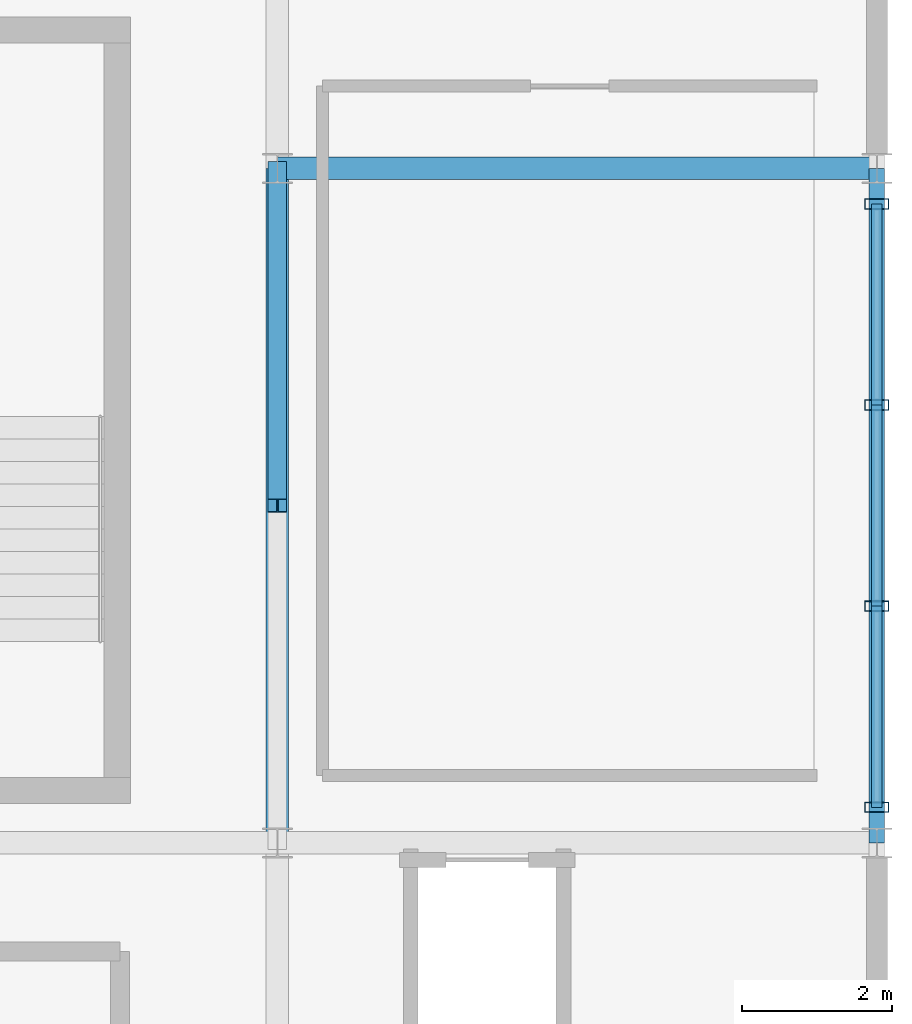
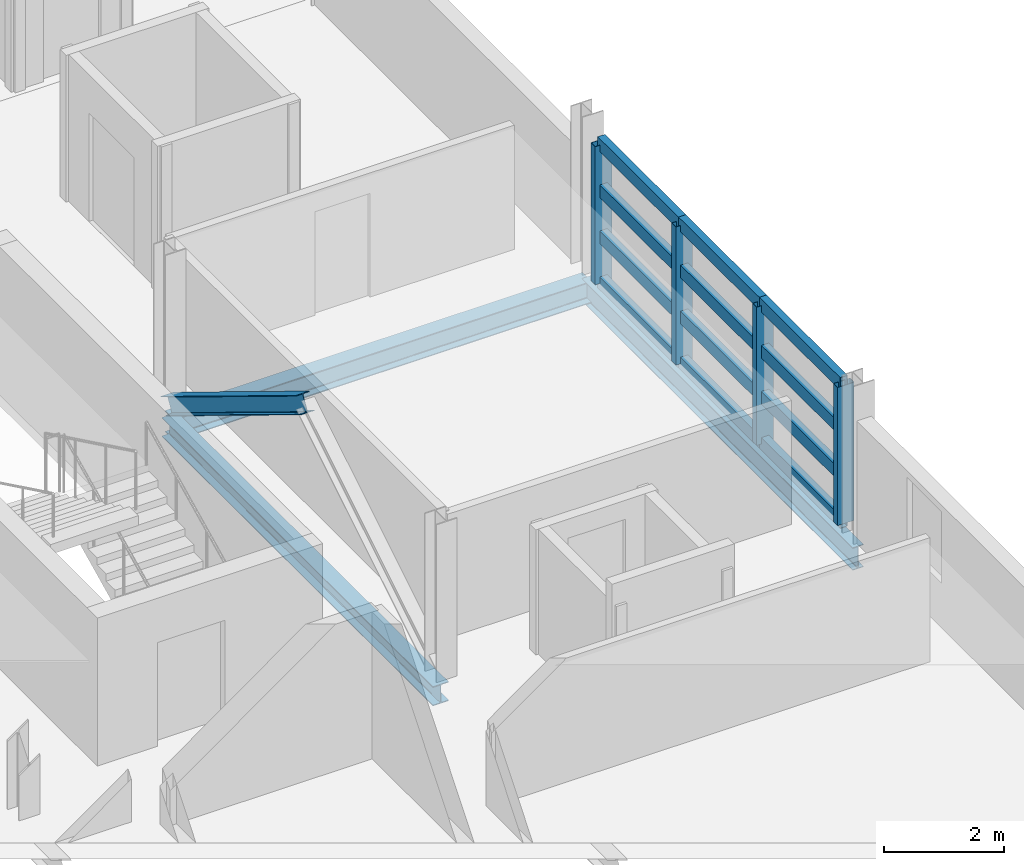
# One storey, part 45 of 86: 17 members, 3 beams, 1 element without a shape of its own.
"""IFC4 building model written with IfcOpenShell, lengths in metres."""

import ifcopenshell
import ifcopenshell.guid

model = None  # the IFC model being written
_history = None  # IfcOwnerHistory: only IFC2X3 demands one
_inside = {}  # id of a spatial element -> (the spatial element, [elements in it])
_under = {}  # id of a project, library or spatial element -> (it, [spatial elements below it])
_declared = {}  # id of a project -> (the project, [libraries it declares])
_typed = {}  # id of a type object -> (the type object, [elements of that type])
_made_of = {}  # id of a material, layer set ... -> (it, [elements and type objects made of it])


def new_model(schema):
    """Start an empty IFC model of exactly this schema.

    Asked for "IFC4X3", IfcOpenShell would pick the latest addendum, in which some entities
    have other attributes; the version numbers below select the first issue.
    IFC2X3 requires an IfcOwnerHistory on every rooted entity: one is made here for all.
    """
    global model, _history
    if schema == "IFC4X3":
        model = ifcopenshell.file(schema_version=(4, 3, 0, 0))
    else:
        model = ifcopenshell.file(schema=schema)
    _inside.clear()
    _under.clear()
    _declared.clear()
    _typed.clear()
    _made_of.clear()
    _history = None
    if model.schema == "IFC2X3":
        org = make("IfcOrganization", Name="unknown")
        user = make(
            "IfcPersonAndOrganization",
            ThePerson=make("IfcPerson", FamilyName="unknown"),
            TheOrganization=org,
        )
        app = make(
            "IfcApplication",
            ApplicationDeveloper=org,
            Version="unknown",
            ApplicationFullName="unknown",
            ApplicationIdentifier="unknown",
        )
        _history = make(
            "IfcOwnerHistory",
            OwningUser=user,
            OwningApplication=app,
            ChangeAction="ADDED",
            CreationDate=0,
        )
    return model


def make(cls, **values):
    """One entity of the class cls with the attributes given. An attribute that is None is left unset."""
    return model.create_entity(
        cls, **{name: value for name, value in values.items() if value is not None}
    )


def rooted(cls, **values):
    """An entity with a GlobalId (a new one), such as an element, a storey or a relation."""
    return make(cls, GlobalId=ifcopenshell.guid.new(), OwnerHistory=_history, **values)


def si_unit(unit_type, name, prefix=None):
    """IfcSIUnit, for example si_unit("LENGTHUNIT", "METRE", prefix="MILLI")."""
    return make("IfcSIUnit", UnitType=unit_type, Prefix=prefix, Name=name)


def assignment(units):
    """IfcUnitAssignment: the units of a project."""
    return None if units is None else make("IfcUnitAssignment", Units=units)


def point(xyz):
    """IfcCartesianPoint."""
    return None if xyz is None else make("IfcCartesianPoint", Coordinates=xyz)


def direction(xyz):
    """IfcDirection."""
    return None if xyz is None else make("IfcDirection", DirectionRatios=xyz)


def frame(location, z_axis=None, x_axis=None):
    """IfcAxis2Placement3D, a coordinate frame: its origin and axes. An axis left out is left unset."""
    return make(
        "IfcAxis2Placement3D",
        Location=point(location),
        Axis=direction(z_axis),
        RefDirection=direction(x_axis),
    )


def frame_2d(location, x_axis=None):
    """IfcAxis2Placement2D, a coordinate frame in the plane: its origin and x axis."""
    return make(
        "IfcAxis2Placement2D", Location=point(location), RefDirection=direction(x_axis)
    )


def origin():
    """The frame at (0, 0, 0) with its axes left unset."""
    return frame((0.0, 0.0, 0.0))


def origin_2d():
    """The frame at (0, 0) in the plane with its x axis left unset."""
    return frame_2d((0.0, 0.0))


def place(relative_to, where):
    """IfcLocalPlacement: puts the frame where relative to a parent placement (None: the world)."""
    return make(
        "IfcLocalPlacement", PlacementRelTo=relative_to, RelativePlacement=where
    )


def context(
    kind, dimensions, precision=None, world=None, true_north=None, identifier=None
):
    """IfcGeometricRepresentationContext, for example the 3D "Model" context."""
    return make(
        "IfcGeometricRepresentationContext",
        ContextIdentifier=identifier,
        ContextType=kind,
        CoordinateSpaceDimension=dimensions,
        Precision=precision,
        WorldCoordinateSystem=world,
        TrueNorth=true_north,
    )


def subcontext(parent, identifier, kind, view, scale=None):
    """IfcGeometricRepresentationSubContext, for example "Body" below "Model"."""
    return make(
        "IfcGeometricRepresentationSubContext",
        ContextIdentifier=identifier,
        ContextType=kind,
        ParentContext=parent,
        TargetScale=scale,
        TargetView=view,
    )


def project(units=None, contexts=None):
    """IfcProject with its units and contexts."""
    return rooted(
        "IfcProject",
        Name="project",
        RepresentationContexts=contexts,
        UnitsInContext=assignment(units),
    )


def spatial(cls, under=None, at=None, **own):
    """A site, building, storey or space (cls), placed at a placement, below another one or the project."""
    s = rooted(cls, ObjectPlacement=at, **own)
    if under is not None:
        _under.setdefault(under.id(), (under, []))[1].append(s)
    return s


def profile(cls, at=None, kind="AREA", **sizes):
    """A parametric profile (cls). Its sizes go by their IFC names, for example OverallWidth=200.0."""
    return make(cls, ProfileType=kind, Position=at, **sizes)


def hollow_rectangle(**sizes):
    """IfcRectangleHollowProfileDef."""
    return profile("IfcRectangleHollowProfileDef", **sizes)


def i_section(**sizes):
    """IfcIShapeProfileDef."""
    return profile("IfcIShapeProfileDef", **sizes)


def extrude(swept, where, along, depth):
    """IfcExtrudedAreaSolid: the profile swept, set in the frame where, extruded along a direction by depth."""
    return make(
        "IfcExtrudedAreaSolid",
        SweptArea=swept,
        Position=where,
        ExtrudedDirection=direction(along),
        Depth=depth,
    )


def shape(context_of_items, identifier, shape_type, items):
    """IfcShapeRepresentation: the items that make up one representation, for example the "Body"."""
    return make(
        "IfcShapeRepresentation",
        ContextOfItems=context_of_items,
        RepresentationIdentifier=identifier,
        RepresentationType=shape_type,
        Items=items,
    )


def material(Name=None, Category=None):
    """IfcMaterial."""
    return make("IfcMaterial", Name=Name, Category=Category)


def material_profile(
    of_material, cross_section, Name=None, Category=None, Priority=None
):
    """IfcMaterialProfile: a cross section and its material."""
    return make(
        "IfcMaterialProfile",
        Name=Name,
        Material=of_material,
        Profile=cross_section,
        Priority=Priority,
        Category=Category,
    )


def profile_set(profiles, Name=None, composite=None):
    """IfcMaterialProfileSet."""
    return make(
        "IfcMaterialProfileSet",
        Name=Name,
        MaterialProfiles=profiles,
        CompositeProfile=composite,
    )


def made_of(thing, what):
    """Note that an element or type object is made of a material, layer set ...; save() writes the relation."""
    if what is not None:
        _made_of.setdefault(what.id(), (what, []))[1].append(thing)
    return thing


def type_object(cls, material=None, **own):
    """A type object (cls), such as IfcWallType, which elements share."""
    return made_of(rooted(cls, **own), material)


def element(
    cls,
    number,
    at=None,
    inside=None,
    cuts=None,
    type_object=None,
    material=None,
    context=None,
    identifier="Body",
    shape_type=None,
    held_by="IfcProductDefinitionShape",
    body=None,
    shapes=None,
    **own,
):
    """One element of the class cls, such as IfcWall. Its Tag is "e" and its number.

    at: its placement. inside: the storey or other place that contains it. cuts: it is an
    opening in that element (IfcRelVoidsElement). A single representation is given by context,
    identifier, shape_type and body (its items); several are given by shapes. held_by: the class
    of the entity that holds the representations. save() writes the other relations.
    """
    e = rooted(cls, Tag="e%d" % number, ObjectPlacement=at, **own)
    if body is not None:
        shapes = [shape(context, identifier, shape_type, body)]
    if shapes is not None:
        e.Representation = make(held_by, Representations=shapes)
    if inside is not None:
        _inside.setdefault(inside.id(), (inside, []))[1].append(e)
    if cuts is not None:
        rooted(
            "IfcRelVoidsElement", RelatingBuildingElement=cuts, RelatedOpeningElement=e
        )
    if type_object is not None:
        _typed.setdefault(type_object.id(), (type_object, []))[1].append(e)
    return made_of(e, material)


def aggregate(whole, parts):
    """IfcRelAggregates: a whole, such as a stair, and the parts it consists of."""
    return rooted("IfcRelAggregates", RelatingObject=whole, RelatedObjects=parts)


def save(model, path):
    """Write the relations noted so far, then the file.

    IfcRelAggregates (storeys below a building ...), IfcRelContainedInSpatialStructure (elements
    in a storey), IfcRelDefinesByType, IfcRelAssociatesMaterial and IfcRelDeclares: one each for
    every whole, place, type object, material and project.
    """
    for whole, parts in _under.values():
        aggregate(whole, parts)
    for where, things in _inside.values():
        rooted(
            "IfcRelContainedInSpatialStructure",
            RelatedElements=things,
            RelatingStructure=where,
        )
    for kind, things in _typed.values():
        rooted("IfcRelDefinesByType", RelatedObjects=things, RelatingType=kind)
    for what, things in _made_of.values():
        rooted("IfcRelAssociatesMaterial", RelatedObjects=things, RelatingMaterial=what)
    for by, libraries in _declared.values():
        rooted("IfcRelDeclares", RelatingContext=by, RelatedDefinitions=libraries)
    model.write(path)


model = new_model("IFC4")

# Units and contexts
model_context = context("Model", 3, precision=1e-05, world=origin(), true_north=direction((0.0, 1.0)))
body_context = subcontext(model_context, "Body", "Model", "MODEL_VIEW")
ifc_project = project(units=[si_unit("LENGTHUNIT", "METRE"), si_unit("AREAUNIT", "SQUARE_METRE"), si_unit("VOLUMEUNIT", "CUBIC_METRE"), si_unit("PLANEANGLEUNIT", "RADIAN"), si_unit("MASSUNIT", "GRAM", prefix="KILO")], contexts=[model_context])

# Site, building, storey
site_placement = place(None, origin())
site = spatial("IfcSite", under=ifc_project, at=site_placement, CompositionType="ELEMENT")
building_placement = place(site_placement, origin())
building = spatial("IfcBuilding", under=site, at=building_placement, Name="Chuanluo Vaults Station", CompositionType="ELEMENT")
storey_placement = place(building_placement, frame((0.0, 0.0, 14.39990234375)))
storey = spatial("IfcBuildingStorey", under=building, at=storey_placement, Name="L03", CompositionType="ELEMENT", Elevation=14.39990234375)

# Beams
ifc_material_1 = material(Name="Steel Q355C", Category="steel")
ifc_material_profile_1 = material_profile(ifc_material_1, i_section(OverallWidth=0.300048828125, OverallDepth=0.389892578125, WebThickness=0.010009765625, FlangeThickness=0.01611328125, FilletRadius=0.02001953125, at=origin_2d()))
ifc_profile_set_1 = profile_set([ifc_material_profile_1], Name="Steel Q355C")
beam_type_1 = type_object("IfcBeamType", Name="BM-GRD-400", PredefinedType="BEAM", material=ifc_profile_set_1)
beam_1_placement = place(storey_placement, frame((180.0, 85.5, -0.414794921875), z_axis=(0.0, 1.0, 0.0), x_axis=(-1.0, 0.0, 0.0)))
element("IfcBeam", 1, at=beam_1_placement, inside=storey, type_object=beam_type_1, Name="Floor girder BM:GY:L03:0830", PredefinedType="BEAM", context=body_context, shape_type="SweptSolid", body=[
    extrude(i_section(OverallWidth=0.300048828125, OverallDepth=0.389892578125, WebThickness=0.010009765625, FlangeThickness=0.01611328125, FilletRadius=0.02001953125, at=origin_2d()), origin(), (0.0, 0.0, 1.0), 9.0),
])
ifc_material_2 = material(Name="Steel Q355C", Category="steel")
ifc_material_profile_2 = material_profile(ifc_material_2, i_section(OverallWidth=0.300048828125, OverallDepth=0.43994140625, WebThickness=0.010986328125, FlangeThickness=0.01806640625, FilletRadius=0.02001953125, at=origin_2d()))
ifc_profile_set_2 = profile_set([ifc_material_profile_2], Name="Steel Q355C")
beam_type_2 = type_object("IfcBeamType", Name="BM-GRD-450", PredefinedType="USERDEFINED", material=ifc_profile_set_2)
beam_2_placement = place(storey_placement, frame((180.0, 94.5, -0.43994140625), z_axis=(1.0, 0.0, 0.0), x_axis=(0.0, 1.0, 0.0)))
element("IfcBeam", 2, at=beam_2_placement, inside=storey, type_object=beam_type_2, Name="Floor girder BM:GX:L03:0752", ObjectType="GIRDER", PredefinedType="USERDEFINED", context=body_context, shape_type="SweptSolid", body=[
    extrude(i_section(OverallWidth=0.300048828125, OverallDepth=0.43994140625, WebThickness=0.010986328125, FlangeThickness=0.01806640625, FilletRadius=0.02001953125, at=origin_2d()), origin(), (0.0, 0.0, 1.0), 8.0),
])
ifc_material_3 = material(Name="Steel Q355C", Category="steel")
ifc_material_profile_3 = material_profile(ifc_material_3, i_section(OverallWidth=0.205078125, OverallDepth=0.4599609375, WebThickness=0.009033203125, FlangeThickness=0.013916015625, FilletRadius=0.01611328125, at=origin_2d()))
ifc_profile_set_3 = profile_set([ifc_material_profile_3], Name="Steel Q355C")
beam_type_3 = type_object("IfcBeamType", Name="BM-SPN-450", PredefinedType="SPANDREL", material=ifc_profile_set_3)
beam_3_placement = place(storey_placement, frame((188.0, 85.5, -0.449951171875), z_axis=(0.0, 1.0, 0.0), x_axis=(-1.0, 0.0, 0.0)))
element("IfcBeam", 3, at=beam_3_placement, inside=storey, type_object=beam_type_3, Name="Floor girder BM:GY:L03:0836", PredefinedType="SPANDREL", context=body_context, shape_type="SweptSolid", body=[
    extrude(i_section(OverallWidth=0.205078125, OverallDepth=0.4599609375, WebThickness=0.009033203125, FlangeThickness=0.013916015625, FilletRadius=0.01611328125, at=origin_2d()), origin(), (0.0, 0.0, 1.0), 9.0),
])

# Curtain wall, members
ifc_material_4 = material(Name="Anodised aluminium 6063-T6", Category="aluminium")
curtain_wall_type = type_object("IfcCurtainWallType", Name="CW-SYS-09", PredefinedType="NOTDEFINED", material=ifc_material_4)
curtain_wall_placement = place(storey_placement, origin())
curtain_wall = element("IfcCurtainWall", 4, at=curtain_wall_placement, inside=storey, type_object=curtain_wall_type, Name="Operations L03 facade CW", PredefinedType="NOTDEFINED")
ifc_material_5 = material(Name="Anodised aluminium 6063-T6", Category="aluminium")
ifc_material_profile_4 = material_profile(ifc_material_5, hollow_rectangle(XDim=0.139892578125, YDim=0.320068359375, WallThickness=0.008056640625, at=origin_2d()))
ifc_profile_set_4 = profile_set([ifc_material_profile_4], Name="Anodised aluminium 6063-T6")
member_type_1 = type_object("IfcMemberType", Name="CWM-220", PredefinedType="MULLION", material=ifc_profile_set_4)
member_1_placement = place(storey_placement, frame((188.0, 94.02490234375, 0.0), z_axis=(0.0, 0.0, 1.0), x_axis=(0.0, -1.0, 0.0)))
member_1 = element("IfcMember", 5, at=member_1_placement, type_object=member_type_1, Name="Operations L03 facade CW mullion 1", PredefinedType="MULLION", context=body_context, shape_type="SweptSolid", body=[
    extrude(hollow_rectangle(XDim=0.139892578125, YDim=0.320068359375, WallThickness=0.008056640625, at=origin_2d()), origin(), (0.0, 0.0, 1.0), 2.800048828125),
])
member_2_placement = place(storey_placement, frame((188.0, 91.341796875, 0.0), z_axis=(0.0, 0.0, 1.0), x_axis=(0.0, -1.0, 0.0)))
member_2 = element("IfcMember", 6, at=member_2_placement, type_object=member_type_1, Name="Operations L03 facade CW mullion 2", PredefinedType="MULLION", context=body_context, shape_type="SweptSolid", body=[
    extrude(hollow_rectangle(XDim=0.139892578125, YDim=0.320068359375, WallThickness=0.008056640625, at=origin_2d()), origin(), (0.0, 0.0, 1.0), 2.800048828125),
])
member_3_placement = place(storey_placement, frame((188.0, 88.658203125, 0.0), z_axis=(0.0, 0.0, 1.0), x_axis=(0.0, -1.0, 0.0)))
member_3 = element("IfcMember", 7, at=member_3_placement, type_object=member_type_1, Name="Operations L03 facade CW mullion 3", PredefinedType="MULLION", context=body_context, shape_type="SweptSolid", body=[
    extrude(hollow_rectangle(XDim=0.139892578125, YDim=0.320068359375, WallThickness=0.008056640625, at=origin_2d()), origin(), (0.0, 0.0, 1.0), 2.800048828125),
])
member_4_placement = place(storey_placement, frame((188.0, 85.97509765625, 0.0), z_axis=(0.0, 0.0, 1.0), x_axis=(0.0, -1.0, 0.0)))
member_4 = element("IfcMember", 8, at=member_4_placement, type_object=member_type_1, Name="Operations L03 facade CW mullion 4", PredefinedType="MULLION", context=body_context, shape_type="SweptSolid", body=[
    extrude(hollow_rectangle(XDim=0.139892578125, YDim=0.320068359375, WallThickness=0.008056640625, at=origin_2d()), origin(), (0.0, 0.0, 1.0), 2.800048828125),
])
ifc_material_6 = material(Name="Anodised aluminium 6063-T6", Category="aluminium")
ifc_material_profile_5 = material_profile(ifc_material_6, hollow_rectangle(XDim=0.139892578125, YDim=0.260009765625, WallThickness=0.007080078125, at=origin_2d()))
ifc_profile_set_5 = profile_set([ifc_material_profile_5], Name="Anodised aluminium 6063-T6")
member_type_2 = type_object("IfcMemberType", Name="CWT-180", PredefinedType="USERDEFINED", material=ifc_profile_set_5)
member_5_placement = place(storey_placement, frame((188.0, 94.02490234375, 0.0), z_axis=(0.0, -1.0, 0.0), x_axis=(1.0, 0.0, 0.0)))
member_5 = element("IfcMember", 9, at=member_5_placement, type_object=member_type_2, Name="Operations L03 facade CW transom 1.1", ObjectType="TRANSOM", PredefinedType="USERDEFINED", context=body_context, shape_type="SweptSolid", body=[
    extrude(hollow_rectangle(XDim=0.139892578125, YDim=0.260009765625, WallThickness=0.007080078125, at=origin_2d()), origin(), (0.0, 0.0, 1.0), 2.68310546875),
])
member_6_placement = place(storey_placement, frame((188.0, 94.02490234375, 0.933349609375), z_axis=(0.0, -1.0, 0.0), x_axis=(1.0, 0.0, 0.0)))
member_6 = element("IfcMember", 10, at=member_6_placement, type_object=member_type_2, Name="Operations L03 facade CW transom 1.2", ObjectType="TRANSOM", PredefinedType="USERDEFINED", context=body_context, shape_type="SweptSolid", body=[
    extrude(hollow_rectangle(XDim=0.139892578125, YDim=0.260009765625, WallThickness=0.007080078125, at=origin_2d()), origin(), (0.0, 0.0, 1.0), 2.68310546875),
])
member_7_placement = place(storey_placement, frame((188.0, 94.02490234375, 1.86669921875), z_axis=(0.0, -1.0, 0.0), x_axis=(1.0, 0.0, 0.0)))
member_7 = element("IfcMember", 11, at=member_7_placement, type_object=member_type_2, Name="Operations L03 facade CW transom 1.3", ObjectType="TRANSOM", PredefinedType="USERDEFINED", context=body_context, shape_type="SweptSolid", body=[
    extrude(hollow_rectangle(XDim=0.139892578125, YDim=0.260009765625, WallThickness=0.007080078125, at=origin_2d()), origin(), (0.0, 0.0, 1.0), 2.68310546875),
])
member_8_placement = place(storey_placement, frame((188.0, 94.02490234375, 2.800048828125), z_axis=(0.0, -1.0, 0.0), x_axis=(1.0, 0.0, 0.0)))
member_8 = element("IfcMember", 12, at=member_8_placement, type_object=member_type_2, Name="Operations L03 facade CW transom 1.4", ObjectType="TRANSOM", PredefinedType="USERDEFINED", context=body_context, shape_type="SweptSolid", body=[
    extrude(hollow_rectangle(XDim=0.139892578125, YDim=0.260009765625, WallThickness=0.007080078125, at=origin_2d()), origin(), (0.0, 0.0, 1.0), 2.68310546875),
])
member_9_placement = place(storey_placement, frame((188.0, 91.341796875, 0.0), z_axis=(0.0, -1.0, 0.0), x_axis=(1.0, 0.0, 0.0)))
member_9 = element("IfcMember", 13, at=member_9_placement, type_object=member_type_2, Name="Operations L03 facade CW transom 2.1", ObjectType="TRANSOM", PredefinedType="USERDEFINED", context=body_context, shape_type="SweptSolid", body=[
    extrude(hollow_rectangle(XDim=0.139892578125, YDim=0.260009765625, WallThickness=0.007080078125, at=origin_2d()), origin(), (0.0, 0.0, 1.0), 2.68359375),
])
member_10_placement = place(storey_placement, frame((188.0, 91.341796875, 0.933349609375), z_axis=(0.0, -1.0, 0.0), x_axis=(1.0, 0.0, 0.0)))
member_10 = element("IfcMember", 14, at=member_10_placement, type_object=member_type_2, Name="Operations L03 facade CW transom 2.2", ObjectType="TRANSOM", PredefinedType="USERDEFINED", context=body_context, shape_type="SweptSolid", body=[
    extrude(hollow_rectangle(XDim=0.139892578125, YDim=0.260009765625, WallThickness=0.007080078125, at=origin_2d()), origin(), (0.0, 0.0, 1.0), 2.68359375),
])
member_11_placement = place(storey_placement, frame((188.0, 91.341796875, 1.86669921875), z_axis=(0.0, -1.0, 0.0), x_axis=(1.0, 0.0, 0.0)))
member_11 = element("IfcMember", 15, at=member_11_placement, type_object=member_type_2, Name="Operations L03 facade CW transom 2.3", ObjectType="TRANSOM", PredefinedType="USERDEFINED", context=body_context, shape_type="SweptSolid", body=[
    extrude(hollow_rectangle(XDim=0.139892578125, YDim=0.260009765625, WallThickness=0.007080078125, at=origin_2d()), origin(), (0.0, 0.0, 1.0), 2.68359375),
])
member_12_placement = place(storey_placement, frame((188.0, 91.341796875, 2.800048828125), z_axis=(0.0, -1.0, 0.0), x_axis=(1.0, 0.0, 0.0)))
member_12 = element("IfcMember", 16, at=member_12_placement, type_object=member_type_2, Name="Operations L03 facade CW transom 2.4", ObjectType="TRANSOM", PredefinedType="USERDEFINED", context=body_context, shape_type="SweptSolid", body=[
    extrude(hollow_rectangle(XDim=0.139892578125, YDim=0.260009765625, WallThickness=0.007080078125, at=origin_2d()), origin(), (0.0, 0.0, 1.0), 2.68359375),
])
member_13_placement = place(storey_placement, frame((188.0, 88.658203125, 0.0), z_axis=(0.0, -1.0, 0.0), x_axis=(1.0, 0.0, 0.0)))
member_13 = element("IfcMember", 17, at=member_13_placement, type_object=member_type_2, Name="Operations L03 facade CW transom 3.1", ObjectType="TRANSOM", PredefinedType="USERDEFINED", context=body_context, shape_type="SweptSolid", body=[
    extrude(hollow_rectangle(XDim=0.139892578125, YDim=0.260009765625, WallThickness=0.007080078125, at=origin_2d()), origin(), (0.0, 0.0, 1.0), 2.68310546875),
])
member_14_placement = place(storey_placement, frame((188.0, 88.658203125, 0.933349609375), z_axis=(0.0, -1.0, 0.0), x_axis=(1.0, 0.0, 0.0)))
member_14 = element("IfcMember", 18, at=member_14_placement, type_object=member_type_2, Name="Operations L03 facade CW transom 3.2", ObjectType="TRANSOM", PredefinedType="USERDEFINED", context=body_context, shape_type="SweptSolid", body=[
    extrude(hollow_rectangle(XDim=0.139892578125, YDim=0.260009765625, WallThickness=0.007080078125, at=origin_2d()), origin(), (0.0, 0.0, 1.0), 2.68310546875),
])
member_15_placement = place(storey_placement, frame((188.0, 88.658203125, 1.86669921875), z_axis=(0.0, -1.0, 0.0), x_axis=(1.0, 0.0, 0.0)))
member_15 = element("IfcMember", 19, at=member_15_placement, type_object=member_type_2, Name="Operations L03 facade CW transom 3.3", ObjectType="TRANSOM", PredefinedType="USERDEFINED", context=body_context, shape_type="SweptSolid", body=[
    extrude(hollow_rectangle(XDim=0.139892578125, YDim=0.260009765625, WallThickness=0.007080078125, at=origin_2d()), origin(), (0.0, 0.0, 1.0), 2.68310546875),
])
member_16_placement = place(storey_placement, frame((188.0, 88.658203125, 2.800048828125), z_axis=(0.0, -1.0, 0.0), x_axis=(1.0, 0.0, 0.0)))
member_16 = element("IfcMember", 20, at=member_16_placement, type_object=member_type_2, Name="Operations L03 facade CW transom 3.4", ObjectType="TRANSOM", PredefinedType="USERDEFINED", context=body_context, shape_type="SweptSolid", body=[
    extrude(hollow_rectangle(XDim=0.139892578125, YDim=0.260009765625, WallThickness=0.007080078125, at=origin_2d()), origin(), (0.0, 0.0, 1.0), 2.68310546875),
])
aggregate(curtain_wall, [member_1, member_2, member_3, member_4, member_5, member_6, member_7, member_8, member_9, member_10, member_11, member_12, member_13, member_14, member_15, member_16])

# Member
ifc_material_7 = material(Name="Steel Q355C", Category="steel")
ifc_material_profile_6 = material_profile(ifc_material_7, i_section(OverallWidth=0.25, OverallDepth=0.340087890625, WebThickness=0.009033203125, FlangeThickness=0.013916015625, FilletRadius=0.01611328125, at=origin_2d()))
ifc_profile_set_6 = profile_set([ifc_material_profile_6], Name="Steel Q355C")
member_type_3 = type_object("IfcMemberType", Name="MEM-CBR-340", PredefinedType="BRACE", material=ifc_profile_set_6)
member_17_placement = place(storey_placement, frame((180.0, 94.5, 0.0), z_axis=(0.0, -0.853281833652, 0.521450009454), x_axis=(1.0, 0.0, 0.0)))
element("IfcMember", 21, at=member_17_placement, inside=storey, type_object=member_type_3, Name="Lateral chevron brace 08", PredefinedType="BRACE", context=body_context, shape_type="SweptSolid", body=[
    extrude(i_section(OverallWidth=0.25, OverallDepth=0.340087890625, WebThickness=0.009033203125, FlangeThickness=0.013916015625, FilletRadius=0.01611328125, at=origin_2d()), origin(), (0.0, 0.0, 1.0), 5.273681640625),
])

save(model, "model.ifc")
